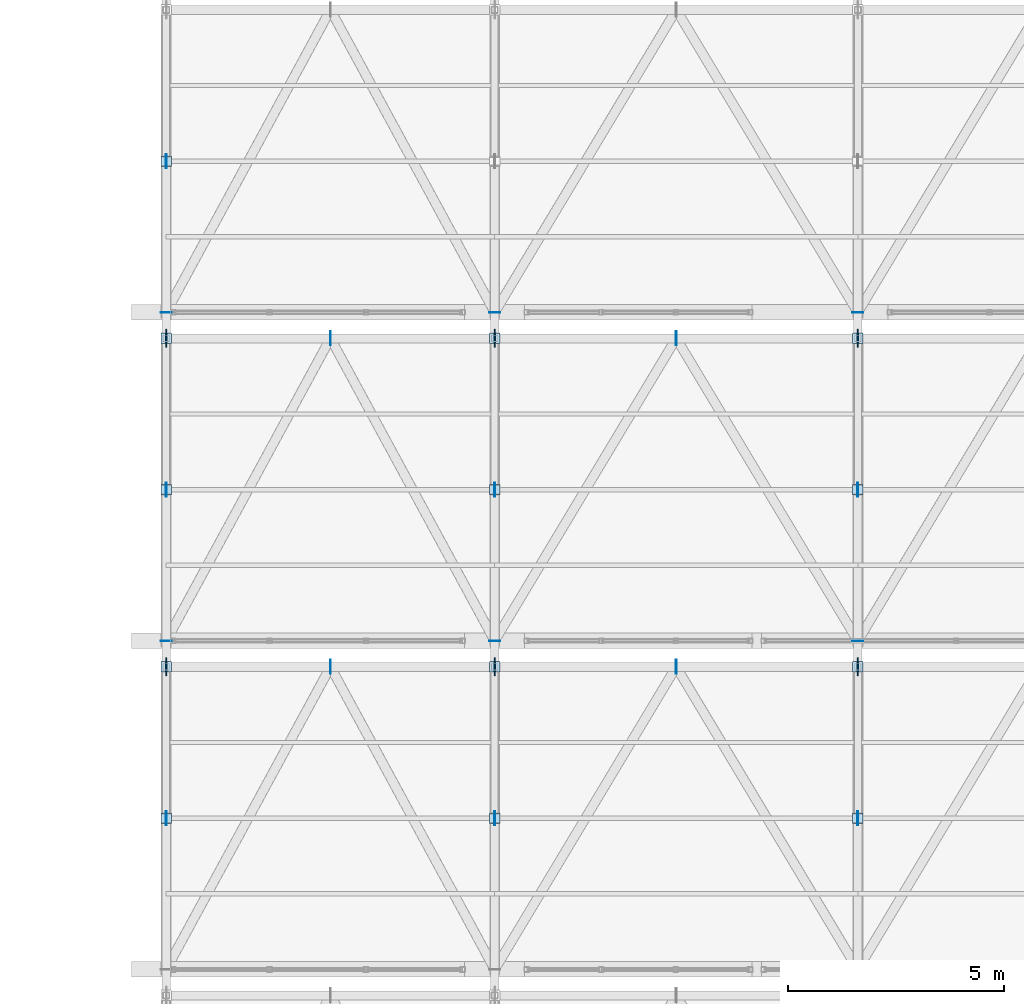
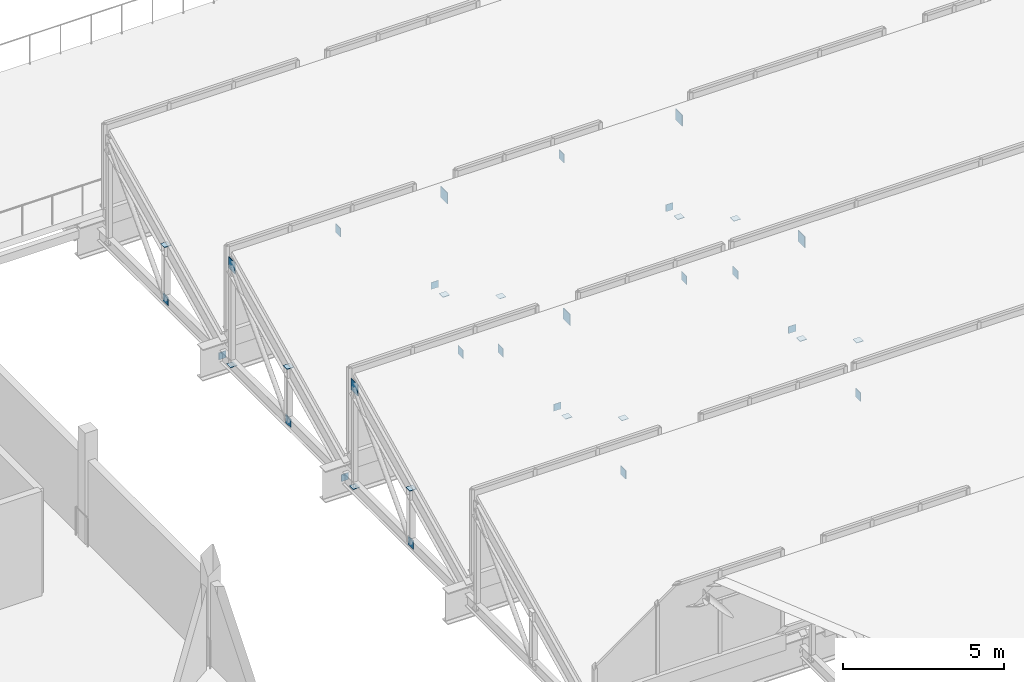
# One storey, part 43 of 57: 36 plates.
"""IFC4 building model written with IfcOpenShell, lengths in metres."""

from ifc_helpers import new_model, si_unit, direction, frame, origin, origin_2d, place, context, subcontext, project, spatial, rectangle, extrude, material, layer, layer_set, type_object, element, save


model = new_model("IFC4")

# Units and contexts
model_context = context("Model", 3, precision=1e-05, world=origin(), true_north=direction((0.0, 1.0)))
body_context = subcontext(model_context, "Body", "Model", "MODEL_VIEW")
ifc_project = project(units=[si_unit("LENGTHUNIT", "METRE"), si_unit("AREAUNIT", "SQUARE_METRE"), si_unit("VOLUMEUNIT", "CUBIC_METRE"), si_unit("PLANEANGLEUNIT", "RADIAN"), si_unit("MASSUNIT", "GRAM", prefix="KILO")], contexts=[model_context])

# Site, building, storey
site_placement = place(None, origin())
site = spatial("IfcSite", under=ifc_project, at=site_placement, CompositionType="ELEMENT")
building_placement = place(site_placement, origin())
building = spatial("IfcBuilding", under=site, at=building_placement, Name="Zuvorla Pavilion Media Centre", CompositionType="ELEMENT")
storey_placement = place(building_placement, frame((0.0, 0.0, 18.0)))
storey = spatial("IfcBuildingStorey", under=building, at=storey_placement, Name="L04", CompositionType="ELEMENT", Elevation=18.0)

# Plates
ifc_material = material(Name="Steel S355", Category="steel")
ifc_layer_1 = layer(ifc_material, 0.01611328125)
ifc_layer_set_1 = layer_set([ifc_layer_1], Name="Steel S355")
plate_type_1 = type_object("IfcPlateType", Name="PLT-CAP-16", PredefinedType="USERDEFINED", material=ifc_layer_set_1)
for number, where, z_axis, x_axis, name in (
    (1, (118.0, 28.800048828125, -1.009765625), (0.0, 0.0, 1.0), (1.0, 0.0, 0.0), "L04 cap plate CP16 128"),
    (2, (125.60009765625, 28.800048828125, -1.009765625), (0.0, 0.0, 1.0), (1.0, 0.0, 0.0), "L04 cap plate CP16 130"),
    (3, (134.0, 28.800048828125, -1.009765625), (0.0, 0.0, 1.0), (1.0, 0.0, 0.0), "L04 cap plate CP16 132"),
    (4, (118.0, 36.39990234375, -1.009765625), (0.0, 0.0, 1.0), (1.0, 0.0, 0.0), "L04 cap plate CP16 140"),
    (5, (125.60009765625, 36.39990234375, -1.009765625), (0.0, 0.0, 1.0), (1.0, 0.0, 0.0), "L04 cap plate CP16 142"),
    (6, (134.0, 36.39990234375, -1.009765625), (0.0, 0.0, 1.0), (1.0, 0.0, 0.0), "L04 cap plate CP16 144"),
):
    element("IfcPlate", number, at=place(storey_placement, frame(where, z_axis=z_axis, x_axis=x_axis)), inside=storey, type_object=plate_type_1, Name=name, ObjectType="CAP_PLATE", PredefinedType="USERDEFINED", context=body_context, shape_type="SweptSolid", body=[
        extrude(rectangle(XDim=0.260009765625, YDim=0.01611328125, at=origin_2d()), origin(), (0.0, 0.0, 1.0), 0.260009765625),
    ])
for number, where, z_axis, x_axis, name in (
    (7, (118.0, 28.199951171875, -0.887939453125), (0.0, 0.0, 1.0), (1.0, 0.0, 0.0), "L04 cap plate CP16 438"),
    (8, (118.0, 24.699951171875, 1.171875), (0.0, 0.0, 1.0), (1.0, 0.0, 0.0), "L04 cap plate CP16 440"),
    (9, (125.60009765625, 28.199951171875, -0.887939453125), (0.0, 0.0, 1.0), (1.0, 0.0, 0.0), "L04 cap plate CP16 441"),
    (10, (125.60009765625, 24.699951171875, 1.171875), (0.0, 0.0, 1.0), (1.0, 0.0, 0.0), "L04 cap plate CP16 443"),
    (11, (134.0, 28.199951171875, -0.887939453125), (0.0, 0.0, 1.0), (1.0, 0.0, 0.0), "L04 cap plate CP16 444"),
    (12, (134.0, 24.699951171875, 1.171875), (0.0, 0.0, 1.0), (1.0, 0.0, 0.0), "L04 cap plate CP16 446"),
    (13, (118.0, 35.800048828125, -0.887939453125), (0.0, 0.0, 1.0), (1.0, 0.0, 0.0), "L04 cap plate CP16 461"),
    (14, (118.0, 32.300048828125, 1.171875), (0.0, 0.0, 1.0), (1.0, 0.0, 0.0), "L04 cap plate CP16 463"),
    (15, (125.60009765625, 35.800048828125, -0.887939453125), (0.0, 0.0, 1.0), (1.0, 0.0, 0.0), "L04 cap plate CP16 464"),
    (16, (125.60009765625, 32.300048828125, 1.171875), (0.0, 0.0, 1.0), (1.0, 0.0, 0.0), "L04 cap plate CP16 466"),
    (17, (134.0, 35.800048828125, -0.887939453125), (0.0, 0.0, 1.0), (1.0, 0.0, 0.0), "L04 cap plate CP16 467"),
    (18, (134.0, 32.300048828125, 1.171875), (0.0, 0.0, 1.0), (1.0, 0.0, 0.0), "L04 cap plate CP16 469"),
    (19, (118.0, 39.89990234375, 1.171875), (0.0, 0.0, 1.0), (1.0, 0.0, 0.0), "L04 cap plate CP16 486"),
):
    element("IfcPlate", number, at=place(storey_placement, frame(where, z_axis=z_axis, x_axis=x_axis)), inside=storey, type_object=plate_type_1, Name=name, ObjectType="CAP_PLATE", PredefinedType="USERDEFINED", context=body_context, shape_type="SweptSolid", body=[
        extrude(rectangle(XDim=0.239990234375, YDim=0.239990234375, at=origin_2d()), origin(), (0.0, 0.0, 1.0), 0.01611328125),
    ])
ifc_layer_2 = layer(ifc_material, 0.02001953125)
ifc_layer_set_2 = layer_set([ifc_layer_2], Name="Steel S355")
plate_type_2 = type_object("IfcPlateType", Name="PLT-GUS-20", PredefinedType="USERDEFINED", material=ifc_layer_set_2)
for number, where, z_axis, x_axis, name in (
    (20, (118.0, 24.699951171875, -1.0400390625), (0.0, 0.0, 1.0), (1.0, 0.0, 0.0), "L04 gusset plate GP20 439"),
    (21, (125.60009765625, 24.699951171875, -1.0400390625), (0.0, 0.0, 1.0), (1.0, 0.0, 0.0), "L04 gusset plate GP20 442"),
    (22, (134.0, 24.699951171875, -1.0400390625), (0.0, 0.0, 1.0), (1.0, 0.0, 0.0), "L04 gusset plate GP20 445"),
    (23, (121.800048828125, 28.199951171875, 2.7197265625), (0.0, 0.0, 1.0), (1.0, 0.0, 0.0), "L04 gusset plate GP20 456"),
    (24, (129.800048828125, 28.199951171875, 2.7197265625), (0.0, 0.0, 1.0), (1.0, 0.0, 0.0), "L04 gusset plate GP20 457"),
    (25, (118.0, 32.300048828125, -1.0400390625), (0.0, 0.0, 1.0), (1.0, 0.0, 0.0), "L04 gusset plate GP20 462"),
    (26, (125.60009765625, 32.300048828125, -1.0400390625), (0.0, 0.0, 1.0), (1.0, 0.0, 0.0), "L04 gusset plate GP20 465"),
    (27, (134.0, 32.300048828125, -1.0400390625), (0.0, 0.0, 1.0), (1.0, 0.0, 0.0), "L04 gusset plate GP20 468"),
    (28, (121.800048828125, 35.800048828125, 2.7197265625), (0.0, 0.0, 1.0), (1.0, 0.0, 0.0), "L04 gusset plate GP20 479"),
    (29, (129.800048828125, 35.800048828125, 2.7197265625), (0.0, 0.0, 1.0), (1.0, 0.0, 0.0), "L04 gusset plate GP20 480"),
    (30, (118.0, 39.89990234375, -1.0400390625), (0.0, 0.0, 1.0), (1.0, 0.0, 0.0), "L04 gusset plate GP20 485"),
):
    element("IfcPlate", number, at=place(storey_placement, frame(where, z_axis=z_axis, x_axis=x_axis)), inside=storey, type_object=plate_type_2, Name=name, ObjectType="GUSSET_PLATE", PredefinedType="USERDEFINED", context=body_context, shape_type="SweptSolid", body=[
        extrude(rectangle(XDim=0.02001953125, YDim=0.320068359375, at=origin_2d()), origin(), (0.0, 0.0, 1.0), 0.320068359375),
    ])
ifc_layer_3 = layer(ifc_material, 0.02490234375)
ifc_layer_set_3 = layer_set([ifc_layer_3], Name="Steel S355")
plate_type_3 = type_object("IfcPlateType", Name="PLT-GUS-25", PredefinedType="USERDEFINED", material=ifc_layer_set_3)
for number, where, z_axis, x_axis, name in (
    (31, (118.0, 28.199951171875, 2.672119140625), (0.0, 0.0, 1.0), (1.0, 0.0, 0.0), "L04 gusset plate GP25 115"),
    (32, (125.60009765625, 28.199951171875, 2.672119140625), (0.0, 0.0, 1.0), (1.0, 0.0, 0.0), "L04 gusset plate GP25 117"),
    (33, (134.0, 28.199951171875, 2.672119140625), (0.0, 0.0, 1.0), (1.0, 0.0, 0.0), "L04 gusset plate GP25 119"),
    (34, (118.0, 35.800048828125, 2.672119140625), (0.0, 0.0, 1.0), (1.0, 0.0, 0.0), "L04 gusset plate GP25 127"),
    (35, (125.60009765625, 35.800048828125, 2.672119140625), (0.0, 0.0, 1.0), (1.0, 0.0, 0.0), "L04 gusset plate GP25 129"),
    (36, (134.0, 35.800048828125, 2.672119140625), (0.0, 0.0, 1.0), (1.0, 0.0, 0.0), "L04 gusset plate GP25 131"),
):
    element("IfcPlate", number, at=place(storey_placement, frame(where, z_axis=z_axis, x_axis=x_axis)), inside=storey, type_object=plate_type_3, Name=name, ObjectType="GUSSET_PLATE", PredefinedType="USERDEFINED", context=body_context, shape_type="SweptSolid", body=[
        extrude(rectangle(XDim=0.02490234375, YDim=0.419921875, at=origin_2d()), origin(), (0.0, 0.0, 1.0), 0.419921875),
    ])

save(model, "model.ifc")
